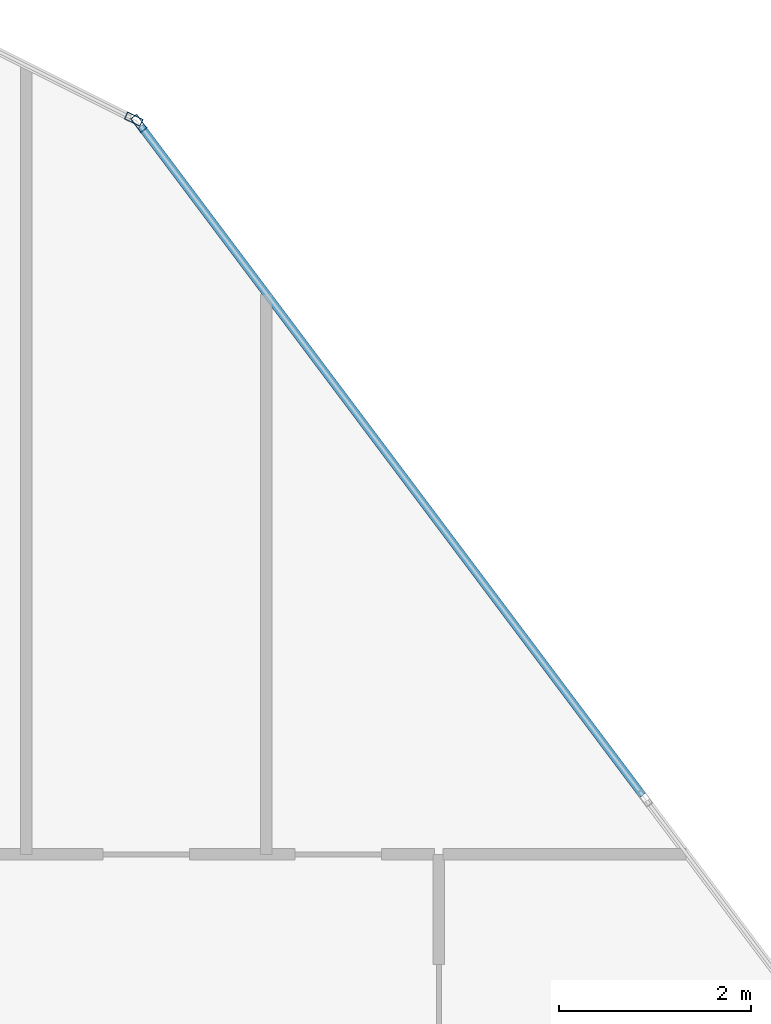
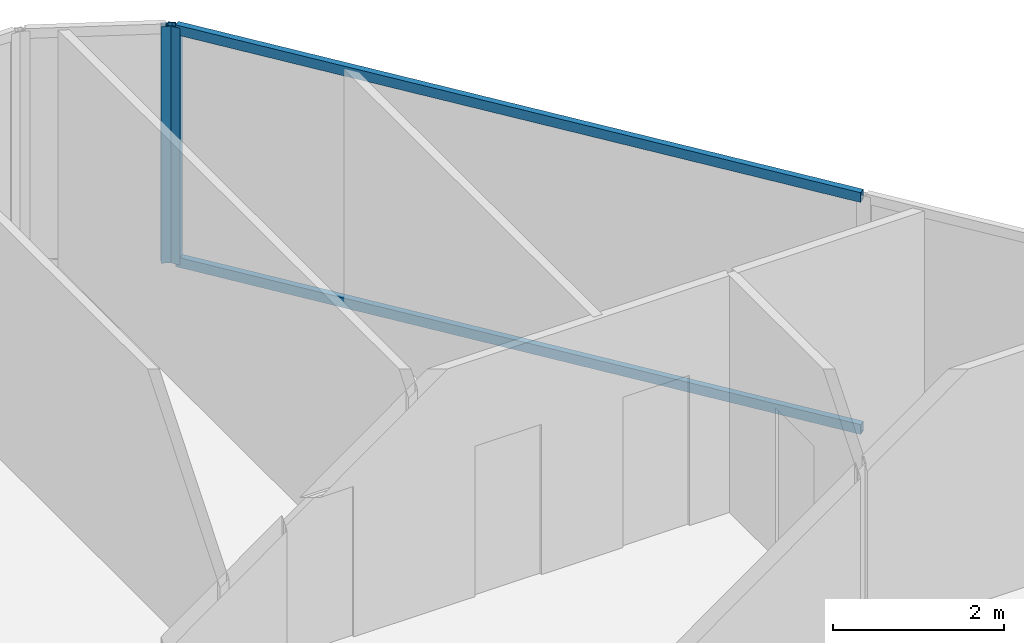
# One storey, part 22 of 31: 4 members, 2 elements without a shape of their own.
"""IFC4 building model written with IfcOpenShell, lengths in metres."""

from ifc_helpers import new_model, si_unit, direction, frame, origin, origin_2d, place, context, subcontext, project, spatial, hollow_rectangle, extrude, material, layer, layer_set, material_profile, profile_set, type_object, element, aggregate, save


model = new_model("IFC4")

# Units and contexts
model_context = context("Model", 3, precision=1e-05, world=origin(), true_north=direction((0.0, 1.0)))
body_context = subcontext(model_context, "Body", "Model", "MODEL_VIEW")
ifc_project = project(units=[si_unit("LENGTHUNIT", "METRE"), si_unit("AREAUNIT", "SQUARE_METRE"), si_unit("VOLUMEUNIT", "CUBIC_METRE"), si_unit("PLANEANGLEUNIT", "RADIAN"), si_unit("MASSUNIT", "GRAM", prefix="KILO")], contexts=[model_context])

# Site, building, storey
site_placement = place(None, origin())
site = spatial("IfcSite", under=ifc_project, at=site_placement, CompositionType="ELEMENT")
building_placement = place(site_placement, origin())
building = spatial("IfcBuilding", under=site, at=building_placement, Name="Keshet Zoharim Tower", CompositionType="ELEMENT")
storey_placement = place(building_placement, frame((0.0, 0.0, 144.60009765625)))
storey = spatial("IfcBuildingStorey", under=building, at=storey_placement, Name="L35", CompositionType="ELEMENT", Elevation=144.60009765625)

# Curtain wall, member
ifc_material = material(Name="Aluminium 6063-T6", Category="aluminium")
ifc_layer = layer(ifc_material, 0.159912109375)
ifc_layer_set = layer_set([ifc_layer], Name="Aluminium 6063-T6")
curtain_wall_type = type_object("IfcCurtainWallType", Name="CW-SYS-03", PredefinedType="NOTDEFINED", material=ifc_layer_set)
curtain_wall_1_placement = place(storey_placement, origin())
curtain_wall_1 = element("IfcCurtainWall", 1, at=curtain_wall_1_placement, inside=storey, type_object=curtain_wall_type, Name="L35 Unitised Curtain Wall 14", PredefinedType="NOTDEFINED")
ifc_material_profile_1 = material_profile(ifc_material, hollow_rectangle(XDim=0.080078125, YDim=0.179931640625, WallThickness=0.00439453125, at=origin_2d()), Name="MUL-80x180")
ifc_profile_set_1 = profile_set([ifc_material_profile_1], Name="Aluminium 6063-T6")
member_type_1 = type_object("IfcMemberType", Name="CWM-M18", PredefinedType="MULLION", material=ifc_profile_set_1)
member_1_placement = place(storey_placement, frame((51.568603515625, 53.11572265625, 0.0), z_axis=(0.0, 0.0, 1.0), x_axis=(0.447213595499, 0.894427191001, 0.0)))
member_1 = element("IfcMember", 2, at=member_1_placement, type_object=member_type_1, Name="CW-03 mullion 2", PredefinedType="MULLION", context=body_context, shape_type="SweptSolid", body=[
    extrude(hollow_rectangle(XDim=0.080078125, YDim=0.179931640625, WallThickness=0.00439453125, at=origin_2d()), origin(), (0.0, 0.0, 1.0), 3.385009765625),
])
aggregate(curtain_wall_1, [member_1])

# Curtain wall, members
curtain_wall_2_placement = place(storey_placement, origin())
curtain_wall_2 = element("IfcCurtainWall", 3, at=curtain_wall_2_placement, inside=storey, type_object=curtain_wall_type, Name="L35 Unitised Curtain Wall 15", PredefinedType="NOTDEFINED")
member_2_placement = place(storey_placement, frame((51.62109375, 53.072021484375, 0.0), z_axis=(0.0, 0.0, 1.0), x_axis=(0.799999999998, 0.600000000002, 0.0)))
member_2 = element("IfcMember", 4, at=member_2_placement, type_object=member_type_1, Name="CW-03 mullion 1", PredefinedType="MULLION", context=body_context, shape_type="SweptSolid", body=[
    extrude(hollow_rectangle(XDim=0.080078125, YDim=0.179931640625, WallThickness=0.00439453125, at=origin_2d()), origin(), (0.0, 0.0, 1.0), 3.385009765625),
])
ifc_material_profile_2 = material_profile(ifc_material, hollow_rectangle(XDim=0.080078125, YDim=0.139892578125, WallThickness=0.00390625, at=origin_2d()), Name="TRN-80x140")
ifc_profile_set_2 = profile_set([ifc_material_profile_2], Name="Aluminium 6063-T6")
member_type_2 = type_object("IfcMemberType", Name="CWT-T14", PredefinedType="USERDEFINED", material=ifc_profile_set_2)
member_3_placement = place(storey_placement, frame((51.64208984375, 53.0439453125, 0.034912109375), z_axis=(0.599991043201, -0.800006717521, 0.0), x_axis=(0.800006717521, 0.599991043201, 0.0)))
member_3 = element("IfcMember", 5, at=member_3_placement, type_object=member_type_2, Name="CW-03 transom 1.1", ObjectType="TRANSOM", PredefinedType="USERDEFINED", context=body_context, shape_type="SweptSolid", body=[
    extrude(hollow_rectangle(XDim=0.080078125, YDim=0.139892578125, WallThickness=0.00390625, at=origin_2d()), origin(), (0.0, 0.0, 1.0), 8.722412109375),
])
member_4_placement = place(storey_placement, frame((51.64208984375, 53.0439453125, 3.349853515625), z_axis=(0.599991043201, -0.800006717521, 0.0), x_axis=(0.800006717521, 0.599991043201, 0.0)))
member_4 = element("IfcMember", 6, at=member_4_placement, type_object=member_type_2, Name="CW-03 transom 1.2", ObjectType="TRANSOM", PredefinedType="USERDEFINED", context=body_context, shape_type="SweptSolid", body=[
    extrude(hollow_rectangle(XDim=0.080078125, YDim=0.139892578125, WallThickness=0.00390625, at=origin_2d()), origin(), (0.0, 0.0, 1.0), 8.722412109375),
])
aggregate(curtain_wall_2, [member_2, member_3, member_4])

save(model, "model.ifc")
